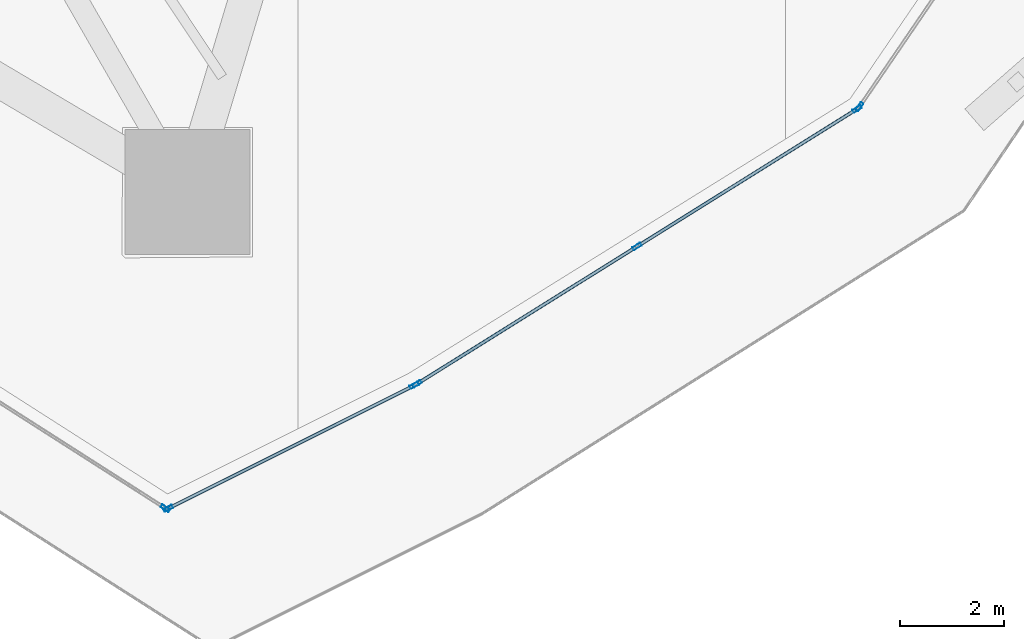
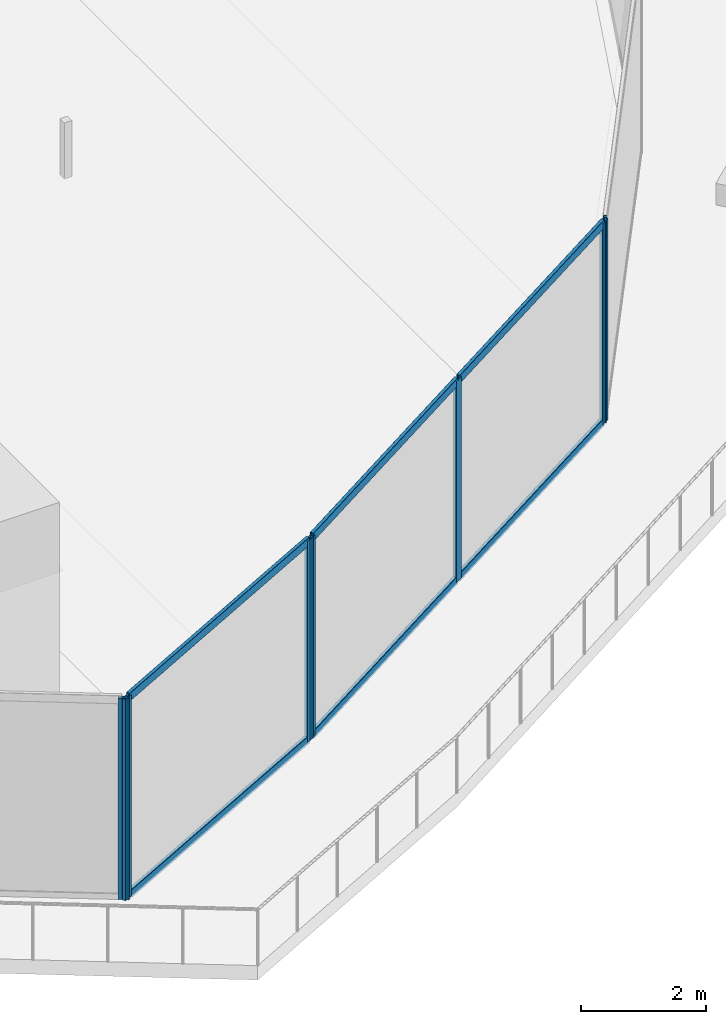
# One storey, part 10 of 44: 13 members, 4 elements without a shape of their own.
"""IFC4 building model written with IfcOpenShell, lengths in metres."""

from ifc_helpers import new_model, si_unit, direction, frame, origin, origin_2d, place, context, subcontext, project, spatial, hollow_rectangle, extrude, material, layer, layer_set, material_profile, profile_set, type_object, element, aggregate, save


model = new_model("IFC4")

# Units and contexts
model_context = context("Model", 3, precision=1e-05, world=origin(), true_north=direction((0.0, 1.0)))
body_context = subcontext(model_context, "Body", "Model", "MODEL_VIEW")
ifc_project = project(units=[si_unit("LENGTHUNIT", "METRE"), si_unit("AREAUNIT", "SQUARE_METRE"), si_unit("VOLUMEUNIT", "CUBIC_METRE"), si_unit("PLANEANGLEUNIT", "RADIAN"), si_unit("MASSUNIT", "GRAM", prefix="KILO")], contexts=[model_context])

# Site, building, storey
site_placement = place(None, origin())
site = spatial("IfcSite", under=ifc_project, at=site_placement, CompositionType="ELEMENT")
building_placement = place(site_placement, origin())
building = spatial("IfcBuilding", under=site, at=building_placement, Name="Qorvath Tower", CompositionType="ELEMENT")
storey_placement = place(building_placement, frame((0.0, 0.0, 40.800048828125)))
storey = spatial("IfcBuildingStorey", under=building, at=storey_placement, Name="L08", CompositionType="ELEMENT", Elevation=40.800048828125)

# Curtain wall, member
ifc_material_1 = material(Name="Anodised aluminium and triple low-E glass", Category="aluminium")
ifc_layer = layer(ifc_material_1, 0.179931640625)
ifc_layer_set = layer_set([ifc_layer], Name="CW-SYS-2")
curtain_wall_type = type_object("IfcCurtainWallType", Name="CW-SYS-2", PredefinedType="NOTDEFINED", material=ifc_layer_set)
curtain_wall_1_placement = place(storey_placement, origin())
curtain_wall_1 = element("IfcCurtainWall", 1, at=curtain_wall_1_placement, inside=storey, type_object=curtain_wall_type, Name="Curtain Wall CW-2 CW-T-L08-2.2", PredefinedType="NOTDEFINED")
ifc_material_2 = material(Name="Anodised aluminium 6063-T6", Category="aluminium")
ifc_material_profile_1 = material_profile(ifc_material_2, hollow_rectangle(XDim=0.06494140625, YDim=0.179931640625, WallThickness=0.00341796875, InnerFilletRadius=0.00341796875, OuterFilletRadius=0.007080078125, at=origin_2d()), Name="CWM 180x65")
ifc_profile_set_1 = profile_set([ifc_material_profile_1], Name="Anodised aluminium 6063-T6")
member_type_1 = type_object("IfcMemberType", Name="CWM-180", PredefinedType="MULLION", material=ifc_profile_set_1)
member_1_placement = place(storey_placement, frame((-14.891357421875, -33.390380859375, 0.0), z_axis=(0.0, 0.0, 1.0), x_axis=(0.538536571861, 0.842602136698, 0.0)))
member_1 = element("IfcMember", 2, at=member_1_placement, type_object=member_type_1, Name="CW-2 mullion 7", PredefinedType="MULLION", context=body_context, shape_type="SweptSolid", body=[
    extrude(hollow_rectangle(XDim=0.06494140625, YDim=0.179931640625, WallThickness=0.00341796875, InnerFilletRadius=0.00341796875, OuterFilletRadius=0.007080078125, at=origin_2d()), origin(), (0.0, 0.0, 1.0), 3.919921875),
])
aggregate(curtain_wall_1, [member_1])

# Curtain wall, members
curtain_wall_2_placement = place(storey_placement, origin())
curtain_wall_2 = element("IfcCurtainWall", 3, at=curtain_wall_2_placement, inside=storey, type_object=curtain_wall_type, Name="Curtain Wall CW-2 CW-T-L08-3.1", PredefinedType="NOTDEFINED")
member_2_placement = place(storey_placement, frame((-14.8349609375, -33.3935546875, 0.0), z_axis=(0.0, 0.0, 1.0), x_axis=(-0.447258573792, 0.89440470044, 0.0)))
member_2 = element("IfcMember", 4, at=member_2_placement, type_object=member_type_1, Name="CW-2 mullion 1", PredefinedType="MULLION", context=body_context, shape_type="SweptSolid", body=[
    extrude(hollow_rectangle(XDim=0.06494140625, YDim=0.179931640625, WallThickness=0.00341796875, InnerFilletRadius=0.00341796875, OuterFilletRadius=0.007080078125, at=origin_2d()), origin(), (0.0, 0.0, 1.0), 3.919921875),
])
member_3_placement = place(storey_placement, frame((-10.12060546875, -31.0361328125, 0.0), z_axis=(0.0, 0.0, 1.0), x_axis=(-0.447258573792, 0.89440470044, 0.0)))
member_3 = element("IfcMember", 5, at=member_3_placement, type_object=member_type_1, Name="CW-2 mullion 2", PredefinedType="MULLION", context=body_context, shape_type="SweptSolid", body=[
    extrude(hollow_rectangle(XDim=0.06494140625, YDim=0.179931640625, WallThickness=0.00341796875, InnerFilletRadius=0.00341796875, OuterFilletRadius=0.007080078125, at=origin_2d()), origin(), (0.0, 0.0, 1.0), 3.919921875),
])

curtain_wall_3_placement = place(storey_placement, origin())
curtain_wall_3 = element("IfcCurtainWall", 6, at=curtain_wall_3_placement, inside=storey, type_object=curtain_wall_type, Name="Curtain Wall CW-2 CW-T-L08-4.1", PredefinedType="NOTDEFINED")
member_4_placement = place(storey_placement, frame((-10.06396484375, -31.00439453125, 0.0), z_axis=(0.0, 0.0, 1.0), x_axis=(-0.529724040691, 0.848170054125, 0.0)))
member_4 = element("IfcMember", 7, at=member_4_placement, type_object=member_type_1, Name="CW-2 mullion 1", PredefinedType="MULLION", context=body_context, shape_type="SweptSolid", body=[
    extrude(hollow_rectangle(XDim=0.06494140625, YDim=0.179931640625, WallThickness=0.00341796875, InnerFilletRadius=0.00341796875, OuterFilletRadius=0.007080078125, at=origin_2d()), origin(), (0.0, 0.0, 1.0), 3.919921875),
])
member_5_placement = place(storey_placement, frame((-5.847900390625, -28.37109375, 0.0), z_axis=(0.0, 0.0, 1.0), x_axis=(-0.529724040691, 0.848170054125, 0.0)))
member_5 = element("IfcMember", 8, at=member_5_placement, type_object=member_type_1, Name="CW-2 mullion 2", PredefinedType="MULLION", context=body_context, shape_type="SweptSolid", body=[
    extrude(hollow_rectangle(XDim=0.06494140625, YDim=0.179931640625, WallThickness=0.00341796875, InnerFilletRadius=0.00341796875, OuterFilletRadius=0.007080078125, at=origin_2d()), origin(), (0.0, 0.0, 1.0), 3.919921875),
])
member_6_placement = place(storey_placement, frame((-1.6318359375, -25.738037109375, 0.0), z_axis=(0.0, 0.0, 1.0), x_axis=(-0.529724040691, 0.848170054125, 0.0)))
member_6 = element("IfcMember", 9, at=member_6_placement, type_object=member_type_1, Name="CW-2 mullion 3", PredefinedType="MULLION", context=body_context, shape_type="SweptSolid", body=[
    extrude(hollow_rectangle(XDim=0.06494140625, YDim=0.179931640625, WallThickness=0.00341796875, InnerFilletRadius=0.00341796875, OuterFilletRadius=0.007080078125, at=origin_2d()), origin(), (0.0, 0.0, 1.0), 3.919921875),
])

# Curtain wall, member
curtain_wall_4_placement = place(storey_placement, origin())
curtain_wall_4 = element("IfcCurtainWall", 10, at=curtain_wall_4_placement, inside=storey, type_object=curtain_wall_type, Name="Curtain Wall CW-2 CW-T-L08-5.1", PredefinedType="NOTDEFINED")
member_7_placement = place(storey_placement, frame((-1.5859375, -25.69384765625, 0.0), z_axis=(0.0, 0.0, 1.0), x_axis=(-0.825849008834, 0.563891314535, 0.0)))
member_7 = element("IfcMember", 11, at=member_7_placement, type_object=member_type_1, Name="CW-2 mullion 1", PredefinedType="MULLION", context=body_context, shape_type="SweptSolid", body=[
    extrude(hollow_rectangle(XDim=0.06494140625, YDim=0.179931640625, WallThickness=0.00341796875, InnerFilletRadius=0.00341796875, OuterFilletRadius=0.007080078125, at=origin_2d()), origin(), (0.0, 0.0, 1.0), 3.919921875),
])
aggregate(curtain_wall_4, [member_7])

# Member
ifc_material_3 = material(Name="Anodised aluminium 6063-T6", Category="aluminium")
ifc_material_profile_2 = material_profile(ifc_material_3, hollow_rectangle(XDim=0.06494140625, YDim=0.159912109375, WallThickness=0.00341796875, InnerFilletRadius=0.00341796875, OuterFilletRadius=0.007080078125, at=origin_2d()), Name="CWT 160x65")
ifc_profile_set_2 = profile_set([ifc_material_profile_2], Name="Anodised aluminium 6063-T6")
member_type_2 = type_object("IfcMemberType", Name="CWT-160", PredefinedType="USERDEFINED", material=ifc_profile_set_2)
member_8_placement = place(storey_placement, frame((-14.805908203125, -33.37890625, 0.032470703125), z_axis=(0.894408431647, 0.447251112239, 0.0), x_axis=(-0.447251112239, 0.894408431647, 0.0)))
member_8 = element("IfcMember", 12, at=member_8_placement, type_object=member_type_2, Name="CW-2 transom 1.1", ObjectType="TRANSOM", PredefinedType="USERDEFINED", context=body_context, shape_type="SweptSolid", body=[
    extrude(hollow_rectangle(XDim=0.06494140625, YDim=0.159912109375, WallThickness=0.00341796875, InnerFilletRadius=0.00341796875, OuterFilletRadius=0.007080078125, at=origin_2d()), origin(), (0.0, 0.0, 1.0), 5.2060546875),
])

member_9_placement = place(storey_placement, frame((-14.805908203125, -33.37890625, 3.887451171875), z_axis=(0.894408431647, 0.447251112239, 0.0), x_axis=(-0.447251112239, 0.894408431647, 0.0)))
member_9 = element("IfcMember", 13, at=member_9_placement, type_object=member_type_2, Name="CW-2 transom 1.2", ObjectType="TRANSOM", PredefinedType="USERDEFINED", context=body_context, shape_type="SweptSolid", body=[
    extrude(hollow_rectangle(XDim=0.06494140625, YDim=0.159912109375, WallThickness=0.00341796875, InnerFilletRadius=0.00341796875, OuterFilletRadius=0.007080078125, at=origin_2d()), origin(), (0.0, 0.0, 1.0), 5.2060546875),
])

aggregate(curtain_wall_2, [member_2, member_3, member_8, member_9])

member_10_placement = place(storey_placement, frame((-10.036376953125, -30.987060546875, 0.032470703125), z_axis=(0.848174397851, 0.52971708565, 0.0), x_axis=(-0.52971708565, 0.848174397851, 0.0)))
member_10 = element("IfcMember", 14, at=member_10_placement, type_object=member_type_2, Name="CW-2 transom 1.1", ObjectType="TRANSOM", PredefinedType="USERDEFINED", context=body_context, shape_type="SweptSolid", body=[
    extrude(hollow_rectangle(XDim=0.06494140625, YDim=0.159912109375, WallThickness=0.00341796875, InnerFilletRadius=0.00341796875, OuterFilletRadius=0.007080078125, at=origin_2d()), origin(), (0.0, 0.0, 1.0), 4.90576171875),
])

member_11_placement = place(storey_placement, frame((-10.036376953125, -30.987060546875, 3.887451171875), z_axis=(0.848174397851, 0.52971708565, 0.0), x_axis=(-0.52971708565, 0.848174397851, 0.0)))
member_11 = element("IfcMember", 15, at=member_11_placement, type_object=member_type_2, Name="CW-2 transom 1.2", ObjectType="TRANSOM", PredefinedType="USERDEFINED", context=body_context, shape_type="SweptSolid", body=[
    extrude(hollow_rectangle(XDim=0.06494140625, YDim=0.159912109375, WallThickness=0.00341796875, InnerFilletRadius=0.00341796875, OuterFilletRadius=0.007080078125, at=origin_2d()), origin(), (0.0, 0.0, 1.0), 4.90576171875),
])

member_12_placement = place(storey_placement, frame((-5.8203125, -28.35400390625, 0.032470703125), z_axis=(0.848152037868, 0.529752886411, 0.0), x_axis=(-0.529752886411, 0.848152037868, 0.0)))
member_12 = element("IfcMember", 16, at=member_12_placement, type_object=member_type_2, Name="CW-2 transom 2.1", ObjectType="TRANSOM", PredefinedType="USERDEFINED", context=body_context, shape_type="SweptSolid", body=[
    extrude(hollow_rectangle(XDim=0.06494140625, YDim=0.159912109375, WallThickness=0.00341796875, InnerFilletRadius=0.00341796875, OuterFilletRadius=0.007080078125, at=origin_2d()), origin(), (0.0, 0.0, 1.0), 4.90576171875),
])

member_13_placement = place(storey_placement, frame((-5.8203125, -28.35400390625, 3.887451171875), z_axis=(0.848152037868, 0.529752886411, 0.0), x_axis=(-0.529752886411, 0.848152037868, 0.0)))
member_13 = element("IfcMember", 17, at=member_13_placement, type_object=member_type_2, Name="CW-2 transom 2.2", ObjectType="TRANSOM", PredefinedType="USERDEFINED", context=body_context, shape_type="SweptSolid", body=[
    extrude(hollow_rectangle(XDim=0.06494140625, YDim=0.159912109375, WallThickness=0.00341796875, InnerFilletRadius=0.00341796875, OuterFilletRadius=0.007080078125, at=origin_2d()), origin(), (0.0, 0.0, 1.0), 4.90576171875),
])

aggregate(curtain_wall_3, [member_4, member_5, member_6, member_10, member_11, member_12, member_13])

save(model, "model.ifc")
